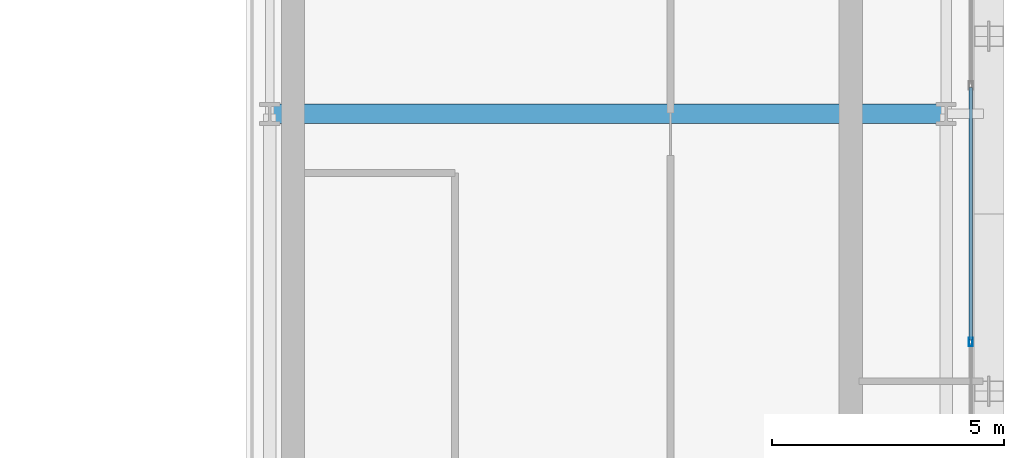
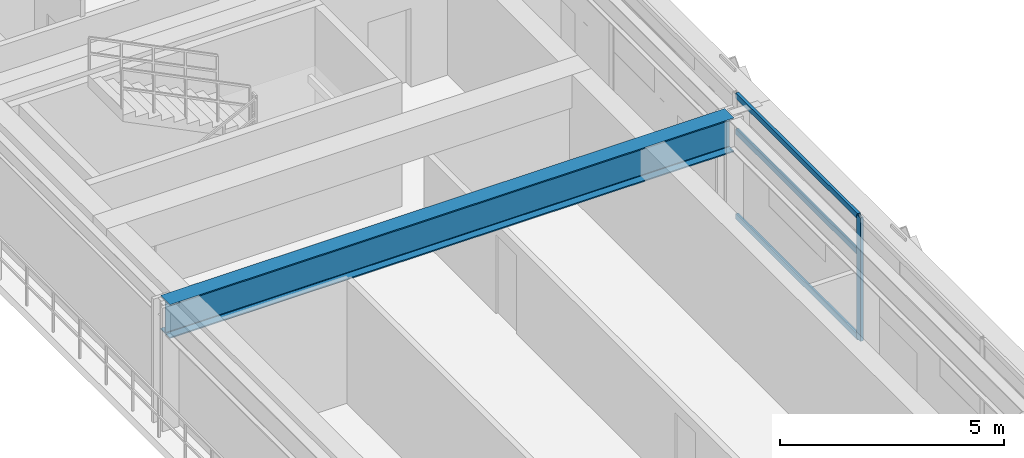
# One storey, part 13 of 34: 4 members, 1 beam, 1 element without a shape of its own.
"""IFC4 building model written with IfcOpenShell, lengths in metres."""

from ifc_helpers import new_model, si_unit, direction, frame, origin, origin_2d, place, context, subcontext, project, spatial, hollow_rectangle, i_section, extrude, source, transform, mapped, material, layer, layer_set, material_profile, profile_set, type_object, element, aggregate, save


model = new_model("IFC4")

# Units and contexts
model_context = context("Model", 3, precision=1e-05, world=origin(), true_north=direction((0.0, 1.0)))
body_context = subcontext(model_context, "Body", "Model", "MODEL_VIEW")
ifc_project = project(units=[si_unit("LENGTHUNIT", "METRE"), si_unit("AREAUNIT", "SQUARE_METRE"), si_unit("VOLUMEUNIT", "CUBIC_METRE"), si_unit("PLANEANGLEUNIT", "RADIAN"), si_unit("MASSUNIT", "GRAM", prefix="KILO")], contexts=[model_context])

# Site, building, storey
site_placement = place(None, origin())
site = spatial("IfcSite", under=ifc_project, at=site_placement, CompositionType="ELEMENT")
building_placement = place(site_placement, origin())
building = spatial("IfcBuilding", under=site, at=building_placement, Name="Ocotamira Hotel", CompositionType="ELEMENT")
storey_placement = place(building_placement, frame((0.0, 0.0, 163.199951171875)))
storey = spatial("IfcBuildingStorey", under=building, at=storey_placement, Name="L40", CompositionType="ELEMENT", Elevation=163.199951171875)

# Beam
ifc_material_1 = material(Name="Steel ASTM A992 Grade 50", Category="steel")
ifc_material_profile_1 = material_profile(ifc_material_1, i_section(OverallWidth=0.41796875, OverallDepth=0.927001953125, WebThickness=0.019287109375, FlangeThickness=0.031982421875, FilletRadius=0.02392578125, at=origin_2d()), Name="W36X231")
ifc_profile_set_1 = profile_set([ifc_material_profile_1], Name="Steel ASTM A992 Grade 50")
beam_type = type_object("IfcBeamType", Name="BM-GIRD-W36X231", PredefinedType="BEAM", material=ifc_profile_set_1)
shared_shape_1 = source(origin(), body_context, "Body", "SweptSolid", [
    extrude(i_section(OverallWidth=0.41796875, OverallDepth=0.927001953125, WebThickness=0.019287109375, FlangeThickness=0.031982421875, FilletRadius=0.02392578125, at=origin_2d()), origin(), (0.0, 0.0, 1.0), 14.550048828125),
])
beam_placement = place(storey_placement, frame((40.5, 28.14990234375, 2.906494140625), z_axis=(1.0, 0.0, 0.0), x_axis=(0.0, 1.0, 0.0)))
element("IfcBeam", 1, at=beam_placement, inside=storey, type_object=beam_type, Name="L40 Girder Y28.15 X40.5-55.05", PredefinedType="BEAM", context=body_context, shape_type="MappedRepresentation", body=[
    mapped(shared_shape_1, transform((0.0, 0.0, 0.0), scale=1.0)),
])

# Curtain wall, members
ifc_material_2 = material(Name="Anodised pale-metal aluminium and solar glass", Category="aluminium")
ifc_layer = layer(ifc_material_2, 0.199951171875)
ifc_layer_set = layer_set([ifc_layer], Name="Anodised pale-metal aluminium and solar glass")
curtain_wall_type = type_object("IfcCurtainWallType", Name="CW-SYS4-Z3", PredefinedType="NOTDEFINED", material=ifc_layer_set)
curtain_wall_placement = place(storey_placement, origin())
curtain_wall = element("IfcCurtainWall", 2, at=curtain_wall_placement, inside=storey, type_object=curtain_wall_type, Name="L40 Curtain Wall CW-4 CW-L40-E", PredefinedType="NOTDEFINED")
ifc_material_3 = material(Name="Anodised pale-metal aluminium 6063-T6", Category="aluminium")
ifc_material_profile_2 = material_profile(ifc_material_3, hollow_rectangle(XDim=0.080078125, YDim=0.179931640625, WallThickness=0.006103515625, at=origin_2d()), Name="HSS180X80X6")
ifc_profile_set_2 = profile_set([ifc_material_profile_2], Name="Anodised pale-metal aluminium 6063-T6")
member_type_1 = type_object("IfcMemberType", Name="CWM-180X75", PredefinedType="MULLION", material=ifc_profile_set_2)
shared_shape_2 = source(origin(), body_context, "Body", "SweptSolid", [
    extrude(hollow_rectangle(XDim=0.080078125, YDim=0.179931640625, WallThickness=0.006103515625, at=origin_2d()), origin(), (0.0, 0.0, 1.0), 3.3701171875),
])
member_1_placement = place(storey_placement, frame((55.580078125, 23.239990234375, 0.0), z_axis=(0.0, 0.0, 1.0), x_axis=(-1.0, 0.0, 0.0)))
member_1 = element("IfcMember", 3, at=member_1_placement, type_object=member_type_1, Name="CW-4 mullion 3", PredefinedType="MULLION", context=body_context, shape_type="MappedRepresentation", body=[
    mapped(shared_shape_2, transform((0.0, 0.0, 0.0), scale=1.0)),
])
ifc_material_profile_3 = material_profile(ifc_material_3, hollow_rectangle(XDim=0.074951171875, YDim=0.14990234375, WallThickness=0.006103515625, at=origin_2d()), Name="HSS150X75X6")
ifc_profile_set_3 = profile_set([ifc_material_profile_3], Name="Anodised pale-metal aluminium 6063-T6")
member_type_2 = type_object("IfcMemberType", Name="CWT-150X75", PredefinedType="USERDEFINED", material=ifc_profile_set_3)
shared_shape_3 = source(origin(), body_context, "Body", "SweptSolid", [
    extrude(hollow_rectangle(XDim=0.074951171875, YDim=0.14990234375, WallThickness=0.006103515625, at=origin_2d()), origin(), (0.0, 0.0, 1.0), 5.43994140625),
])
member_2_placement = place(storey_placement, frame((55.580078125, 23.280029296875, 0.03759765625), z_axis=(0.0, 1.0, 0.0), x_axis=(-1.0, 0.0, 0.0)))
member_2 = element("IfcMember", 4, at=member_2_placement, type_object=member_type_2, Name="CW-4 transom 3.1", ObjectType="TRANSOM", PredefinedType="USERDEFINED", context=body_context, shape_type="MappedRepresentation", body=[
    mapped(shared_shape_3, transform((0.0, 0.0, 0.0), scale=1.0)),
])
member_3_placement = place(storey_placement, frame((55.580078125, 23.280029296875, 2.35009765625), z_axis=(0.0, 1.0, 0.0), x_axis=(-1.0, 0.0, 0.0)))
member_3 = element("IfcMember", 5, at=member_3_placement, type_object=member_type_2, Name="CW-4 transom 3.2", ObjectType="TRANSOM", PredefinedType="USERDEFINED", context=body_context, shape_type="MappedRepresentation", body=[
    mapped(shared_shape_3, transform((0.0, 0.0, 0.0), scale=1.0)),
])
member_4_placement = place(storey_placement, frame((55.580078125, 23.280029296875, 3.33251953125), z_axis=(0.0, 1.0, 0.0), x_axis=(-1.0, 0.0, 0.0)))
member_4 = element("IfcMember", 6, at=member_4_placement, type_object=member_type_2, Name="CW-4 transom 3.3", ObjectType="TRANSOM", PredefinedType="USERDEFINED", context=body_context, shape_type="MappedRepresentation", body=[
    mapped(shared_shape_3, transform((0.0, 0.0, 0.0), scale=1.0)),
])
aggregate(curtain_wall, [member_1, member_2, member_3, member_4])

save(model, "model.ifc")
